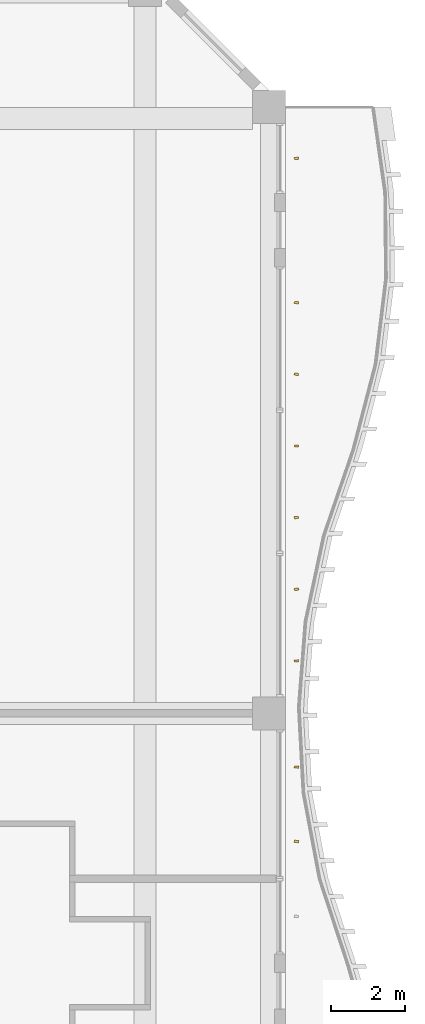
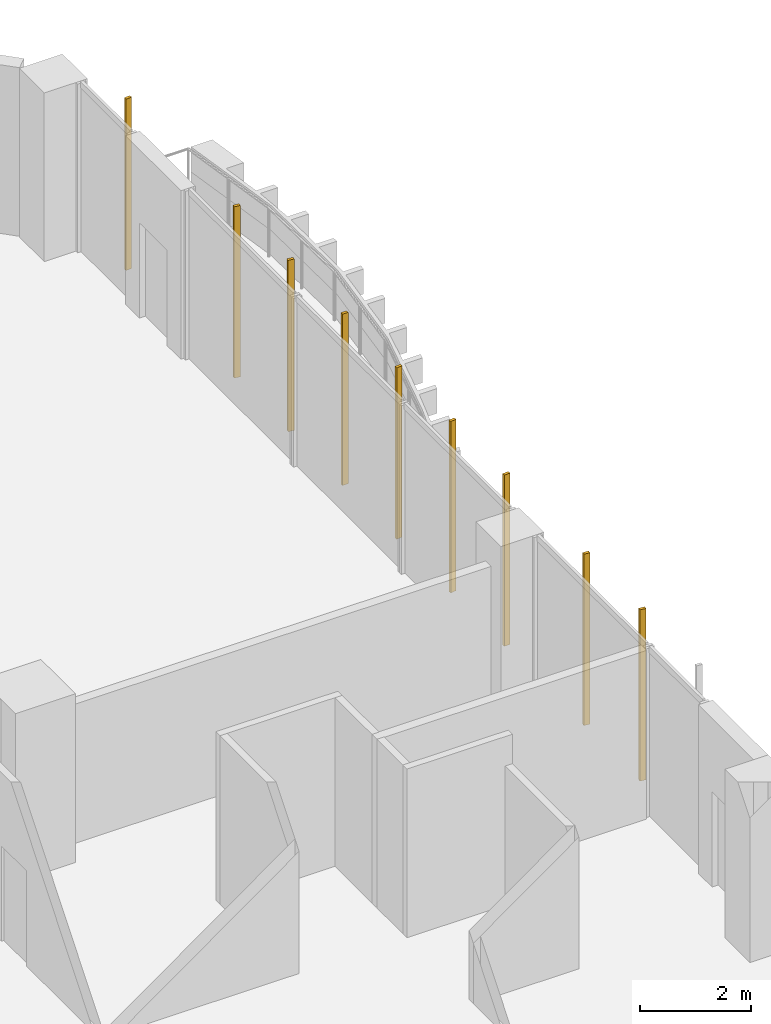
# One storey, part 28 of 28: 9 shading devices.
"""IFC4 building model written with IfcOpenShell, lengths in metres."""

from ifc_helpers import new_model, si_unit, direction, frame, origin, origin_2d, place, context, subcontext, project, spatial, rectangle, extrude, source, transform, mapped, material, material_profile, profile_set, type_object, element, save


model = new_model("IFC4")

# Units and contexts
model_context = context("Model", 3, precision=1e-05, world=origin(), true_north=direction((0.0, 1.0)))
body_context = subcontext(model_context, "Body", "Model", "MODEL_VIEW")
ifc_project = project(units=[si_unit("LENGTHUNIT", "METRE"), si_unit("AREAUNIT", "SQUARE_METRE"), si_unit("VOLUMEUNIT", "CUBIC_METRE"), si_unit("PLANEANGLEUNIT", "RADIAN"), si_unit("MASSUNIT", "GRAM", prefix="KILO")], contexts=[model_context])

# Site, building, storey
site_placement = place(None, origin())
site = spatial("IfcSite", under=ifc_project, at=site_placement, CompositionType="ELEMENT")
building_placement = place(site_placement, origin())
building = spatial("IfcBuilding", under=site, at=building_placement, Name="Kilnfold Tower and Market Hall", CompositionType="ELEMENT")
storey_placement = place(building_placement, frame((0.0, 0.0, 87.199951171875)))
storey = spatial("IfcBuildingStorey", under=building, at=storey_placement, Name="L20", CompositionType="ELEMENT", Elevation=87.199951171875)

# Shading devices
ifc_material = material(Name="Terracotta", Category="masonry")
ifc_material_profile = material_profile(ifc_material, rectangle(XDim=0.06005859375, YDim=0.1201171875, at=origin_2d()), Name="BAG 60x120")
ifc_profile_set = profile_set([ifc_material_profile], Name="Terracotta")
shading_device_type = type_object("IfcShadingDeviceType", Name="BAGUETTE", PredefinedType="USERDEFINED", material=ifc_profile_set)
shared_shape = source(origin(), body_context, "Body", "SweptSolid", [
    extrude(rectangle(XDim=0.06005859375, YDim=0.1201171875, at=origin_2d()), origin(), (0.0, 0.0, 1.0), 3.780029296875),
])
for number, where, z_axis, x_axis, name in (
    (1, (33.300048828125, 4.512451171875, 0.0), (0.0, 0.0, 1.0), (0.138277762102, 0.990393487715, 0.0), "Terracotta baguette L20 E"),
    (2, (33.300048828125, 6.53759765625, 0.0), (0.0, 0.0, 1.0), (0.097629798637, 0.995222800391, 0.0), "Terracotta baguette L20 E"),
    (3, (33.300048828125, 9.425048828125, 0.0), (0.0, 0.0, 1.0), (-0.069328162209, 0.997593908324, 0.0), "Terracotta baguette L20 E"),
    (4, (33.300048828125, 11.375, 0.0), (0.0, 0.0, 1.0), (-0.137046918991, 0.990564557207, 0.0), "Terracotta baguette L20 E"),
    (5, (33.300048828125, 13.324951171875, 0.0), (0.0, 0.0, 1.0), (-0.106628508082, 0.99429892953, 0.0), "Terracotta baguette L20 E"),
    (6, (33.300048828125, 15.27490234375, 0.0), (0.0, 0.0, 1.0), (0.000548033358, 0.99999984983, 0.0), "Terracotta baguette L20 E"),
    (7, (33.300048828125, 17.22509765625, 0.0), (0.0, 0.0, 1.0), (0.10732610414, 0.994223871857, 0.0), "Terracotta baguette L20 E"),
    (8, (33.300048828125, 19.175048828125, 0.0), (0.0, 0.0, 1.0), (0.136853283909, 0.990591327785, 0.0), "Terracotta baguette L20 E"),
    (9, (33.300048828125, 23.10009765625, 0.0), (0.0, 0.0, 1.0), (-0.051013021269, 0.998697988213, 0.0), "Terracotta baguette L20 E"),
):
    element("IfcShadingDevice", number, at=place(storey_placement, frame(where, z_axis=z_axis, x_axis=x_axis)), inside=storey, type_object=shading_device_type, Name=name, ObjectType="BAGUETTE", PredefinedType="USERDEFINED", context=body_context, shape_type="MappedRepresentation", body=[
        mapped(shared_shape, transform((0.0, 0.0, 0.0))),
    ])

save(model, "model.ifc")
